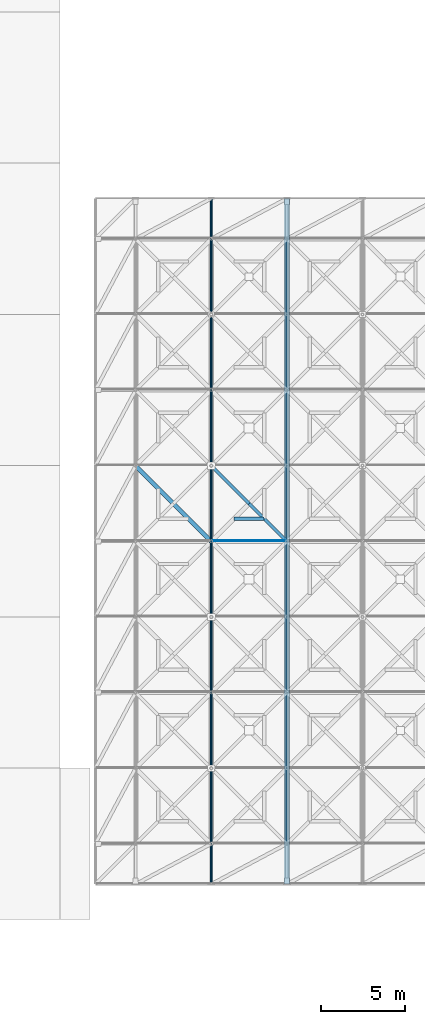
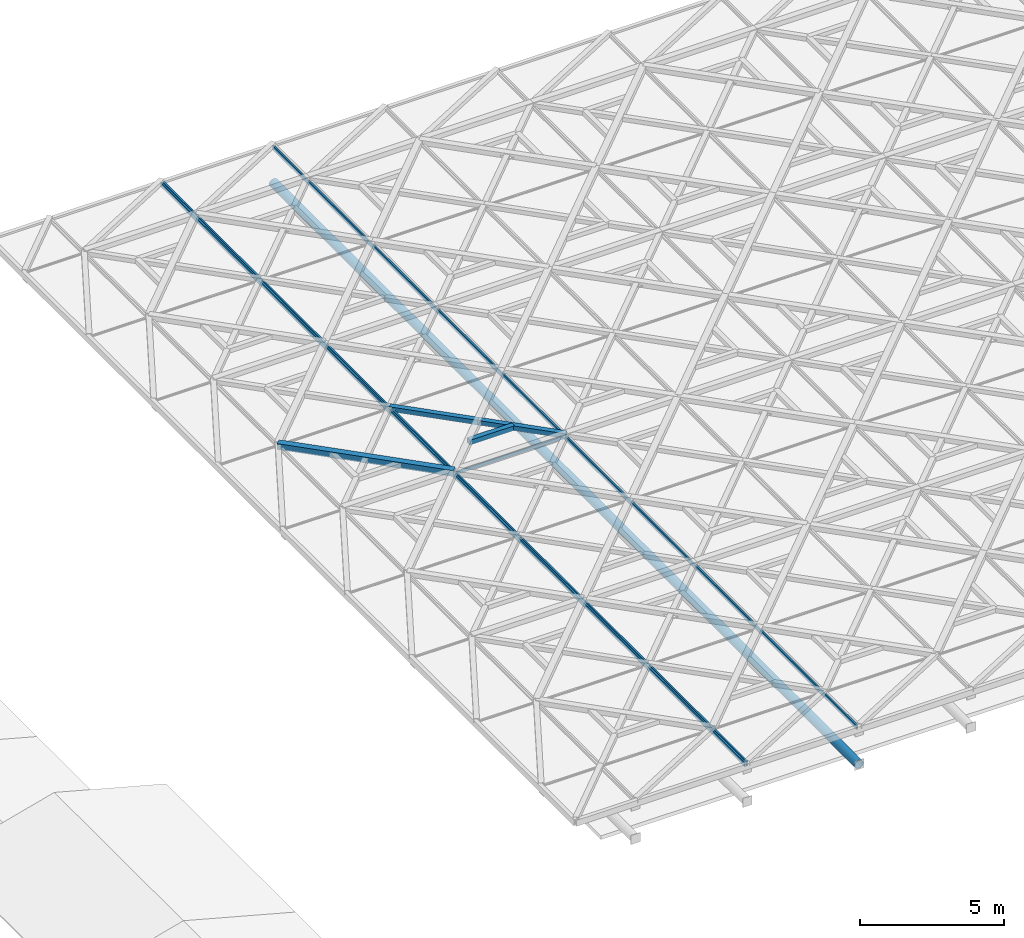
# One storey, part 11 of 80: 9 members, 2 elements without a shape of their own.
"""IFC4 building model written with IfcOpenShell, lengths in metres."""

from ifc_helpers import new_model, si_unit, direction, frame, origin, origin_2d, place, context, subcontext, project, spatial, rectangle, hollow_rectangle, hollow_circle, extrude, material, material_profile, profile_set, type_object, element, aggregate, save


model = new_model("IFC4")

# Units and contexts
model_context = context("Model", 3, precision=1e-05, world=origin(), true_north=direction((0.0, 1.0)))
body_context = subcontext(model_context, "Body", "Model", "MODEL_VIEW")
ifc_project = project(units=[si_unit("LENGTHUNIT", "METRE"), si_unit("AREAUNIT", "SQUARE_METRE"), si_unit("VOLUMEUNIT", "CUBIC_METRE"), si_unit("PLANEANGLEUNIT", "RADIAN"), si_unit("MASSUNIT", "GRAM", prefix="KILO"), si_unit("THERMODYNAMICTEMPERATUREUNIT", "KELVIN"), si_unit("POWERUNIT", "WATT")], contexts=[model_context])

# Site, building, storey
site_placement = place(None, origin())
site = spatial("IfcSite", under=ifc_project, at=site_placement, CompositionType="ELEMENT")
building_placement = place(site_placement, origin())
building = spatial("IfcBuilding", under=site, at=building_placement, Name="Tallowbark Science Centre", CompositionType="ELEMENT")
storey_placement = place(building_placement, frame((0.0, 0.0, 25.949951171875)))
storey = spatial("IfcBuildingStorey", under=building, at=storey_placement, Name="ROOF", CompositionType="ELEMENT", Elevation=25.949951171875)

# Curtain wall, member
ifc_material_1 = material(Name="Blue-Tinted Laminated Low-E Skylight Glass", Category="glass")
curtain_wall_type = type_object("IfcCurtainWallType", Name="CW-SKY-ROOF", PredefinedType="NOTDEFINED", material=ifc_material_1)
curtain_wall_1_placement = place(storey_placement, origin())
curtain_wall_1 = element("IfcCurtainWall", 1, at=curtain_wall_1_placement, inside=storey, type_object=curtain_wall_type, Name="Exhibition Star-Screen Skylight Bay 2", PredefinedType="NOTDEFINED")
ifc_material_2 = material(Name="Anodised Architectural Aluminium Alloy 6063-T6", Category="aluminium")
ifc_material_profile_1 = material_profile(ifc_material_2, rectangle(XDim=0.06494140625, YDim=0.179931640625, at=origin_2d()), Name="ALU65x180")
ifc_profile_set_1 = profile_set([ifc_material_profile_1], Name="Anodised Architectural Aluminium Alloy 6063-T6")
member_type_1 = type_object("IfcMemberType", Name="CWM-SKY-MUL", PredefinedType="MULLION", material=ifc_profile_set_1)
member_1_placement = place(storey_placement, frame((62.9599609375, 2.14990234375, 0.35205078125), z_axis=(0.0, 1.0, 0.0), x_axis=(-1.0, 0.0, 0.0)))
member_1 = element("IfcMember", 2, at=member_1_placement, type_object=member_type_1, Name="Skylight Bay 2 Mullion E", PredefinedType="MULLION", context=body_context, shape_type="SweptSolid", body=[
    extrude(rectangle(XDim=0.06494140625, YDim=0.179931640625, at=origin_2d()), origin(), (0.0, 0.0, 1.0), 40.7001953125),
])
aggregate(curtain_wall_1, [member_1])

# Curtain wall, members
curtain_wall_2_placement = place(storey_placement, origin())
curtain_wall_2 = element("IfcCurtainWall", 3, at=curtain_wall_2_placement, inside=storey, type_object=curtain_wall_type, Name="Exhibition Star-Screen Skylight Bay 3", PredefinedType="NOTDEFINED")
member_2_placement = place(storey_placement, frame((63.0400390625, 2.14990234375, 0.35205078125), z_axis=(0.0, 1.0, 0.0), x_axis=(-1.0, 0.0, 0.0)))
member_2 = element("IfcMember", 4, at=member_2_placement, type_object=member_type_1, Name="Skylight Bay 3 Mullion W", PredefinedType="MULLION", context=body_context, shape_type="SweptSolid", body=[
    extrude(rectangle(XDim=0.06494140625, YDim=0.179931640625, at=origin_2d()), origin(), (0.0, 0.0, 1.0), 40.7001953125),
])
member_3_placement = place(storey_placement, frame((67.4599609375, 2.14990234375, 0.35205078125), z_axis=(0.0, 1.0, 0.0), x_axis=(-1.0, 0.0, 0.0)))
member_3 = element("IfcMember", 5, at=member_3_placement, type_object=member_type_1, Name="Skylight Bay 3 Mullion E", PredefinedType="MULLION", context=body_context, shape_type="SweptSolid", body=[
    extrude(rectangle(XDim=0.06494140625, YDim=0.179931640625, at=origin_2d()), origin(), (0.0, 0.0, 1.0), 40.7001953125),
])
ifc_material_profile_2 = material_profile(ifc_material_2, rectangle(XDim=0.054931640625, YDim=0.1201171875, at=origin_2d()), Name="ALU55x120")
ifc_profile_set_2 = profile_set([ifc_material_profile_2], Name="Anodised Architectural Aluminium Alloy 6063-T6")
member_type_2 = type_object("IfcMemberType", Name="CWM-SKY-TRN", PredefinedType="USERDEFINED", material=ifc_profile_set_2)
member_4_placement = place(storey_placement, frame((63.080078125, 22.5400390625, 0.35205078125), z_axis=(1.0, 0.0, 0.0), x_axis=(0.0, 1.0, 0.0)))
member_4 = element("IfcMember", 6, at=member_4_placement, type_object=member_type_2, Name="Skylight Bay 3 Transom 6", ObjectType="TRANSOM", PredefinedType="USERDEFINED", context=body_context, shape_type="SweptSolid", body=[
    extrude(rectangle(XDim=0.054931640625, YDim=0.1201171875, at=origin_2d()), origin(), (0.0, 0.0, 1.0), 4.33984375),
])
aggregate(curtain_wall_2, [member_2, member_3, member_4])

# Members
ifc_material_3 = material(Name="White Architectural Painted Steel Grade C350L0 (350 MPa)", Category="steel")
ifc_material_profile_3 = material_profile(ifc_material_3, hollow_rectangle(XDim=0.25, YDim=0.25, WallThickness=0.009033203125, at=origin_2d()), Name="250x250x9.0SHS")
ifc_profile_set_3 = profile_set([ifc_material_profile_3], Name="White Architectural Painted Steel Grade C350L0 (350 MPa)")
member_type_3 = type_object("IfcMemberType", Name="SCR-CHD200", PredefinedType="CHORD", material=ifc_profile_set_3)
member_5_placement = place(storey_placement, frame((58.5, 27.0, 0.449951171875), z_axis=(0.707106781187, -0.707106781187, 0.0), x_axis=(0.707106781187, 0.707106781187, 0.0)))
element("IfcMember", 7, at=member_5_placement, inside=storey, type_object=member_type_3, Name="Star Screen Octagram Diamond Chord TOP-56-4", PredefinedType="CHORD", context=body_context, shape_type="SweptSolid", body=[
    extrude(hollow_rectangle(XDim=0.25, YDim=0.25, WallThickness=0.009033203125, at=origin_2d()), origin(), (0.0, 0.0, 1.0), 6.364013671875),
])
ifc_material_profile_4 = material_profile(ifc_material_3, hollow_rectangle(XDim=0.199951171875, YDim=0.199951171875, WallThickness=0.009033203125, at=origin_2d()), Name="200x200x9.0SHS")
ifc_profile_set_4 = profile_set([ifc_material_profile_4], Name="White Architectural Painted Steel Grade C350L0 (350 MPa)")
member_type_4 = type_object("IfcMemberType", Name="SCR-STAR139", PredefinedType="BRACE", material=ifc_profile_set_4)
for number, where, z_axis, x_axis, name in (
    (8, (63.0, 27.0, 0.449951171875), (0.707106781187, -0.707106781187, 0.0), (0.707106781187, 0.707106781187, 0.0), "Star Screen Split X-Diagonal D2C TOP-56"),
    (9, (65.25, 24.75, 0.449951171875), (0.707106781187, -0.707106781187, 0.0), (0.707106781187, 0.707106781187, 0.0), "Star Screen Split X-Diagonal D2D TOP-56"),
):
    element("IfcMember", number, at=place(storey_placement, frame(where, z_axis=z_axis, x_axis=x_axis)), inside=storey, type_object=member_type_4, Name=name, PredefinedType="BRACE", context=body_context, shape_type="SweptSolid", body=[
        extrude(hollow_rectangle(XDim=0.199951171875, YDim=0.199951171875, WallThickness=0.009033203125, at=origin_2d()), origin(), (0.0, 0.0, 1.0), 3.181884765625),
    ])
ifc_material_profile_5 = material_profile(ifc_material_3, hollow_rectangle(XDim=0.199951171875, YDim=0.199951171875, WallThickness=0.009033203125, at=origin_2d()), Name="200x200x9.0SHS")
ifc_profile_set_5 = profile_set([ifc_material_profile_5], Name="White Architectural Painted Steel Grade C350L0 (350 MPa)")
member_type_5 = type_object("IfcMemberType", Name="SCR-SUB150", PredefinedType="BRACE", material=ifc_profile_set_5)
member_6_placement = place(storey_placement, frame((66.14990234375, 23.85009765625, 0.449951171875), z_axis=(-1.0, 0.0, 0.0), x_axis=(0.0, -1.0, 0.0)))
element("IfcMember", 10, at=member_6_placement, inside=storey, type_object=member_type_5, Name="Star Screen Octagram Point Ray TOP-56-3", PredefinedType="BRACE", context=body_context, shape_type="SweptSolid", body=[
    extrude(hollow_rectangle(XDim=0.199951171875, YDim=0.199951171875, WallThickness=0.009033203125, at=origin_2d()), origin(), (0.0, 0.0, 1.0), 1.7998046875),
])
ifc_material_profile_6 = material_profile(ifc_material_3, hollow_circle(Radius=0.177734375, WallThickness=0.0126953125, at=origin_2d()), Name="355.6x12.7CHS")
ifc_profile_set_6 = profile_set([ifc_material_profile_6], Name="White Architectural Painted Steel Grade C350L0 (350 MPa)")
member_type_6 = type_object("IfcMemberType", Name="TR-CHD355", PredefinedType="CHORD", material=ifc_profile_set_6)
member_7_placement = place(storey_placement, frame((67.5, 2.10009765625, -1.199951171875), z_axis=(0.0, 1.0, 0.0), x_axis=(-1.0, 0.0, 0.0)))
element("IfcMember", 11, at=member_7_placement, inside=storey, type_object=member_type_6, Name="Exhibition Roof Truss Bottom Chord 3", PredefinedType="CHORD", context=body_context, shape_type="SweptSolid", body=[
    extrude(hollow_circle(Radius=0.177734375, WallThickness=0.0126953125, at=origin_2d()), origin(), (0.0, 0.0, 1.0), 40.7998046875),
])

save(model, "model.ifc")
